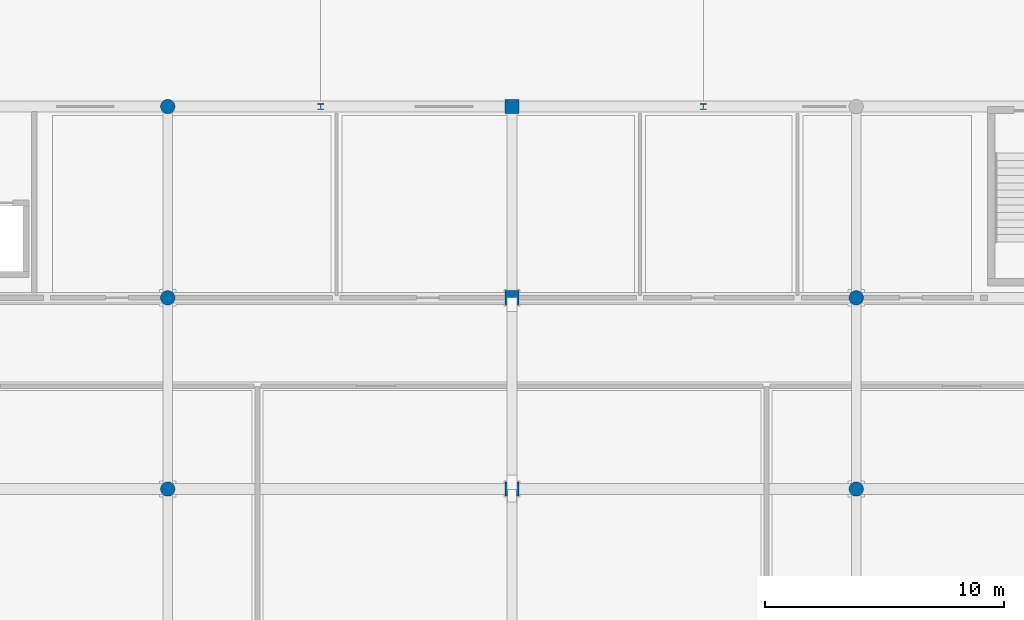
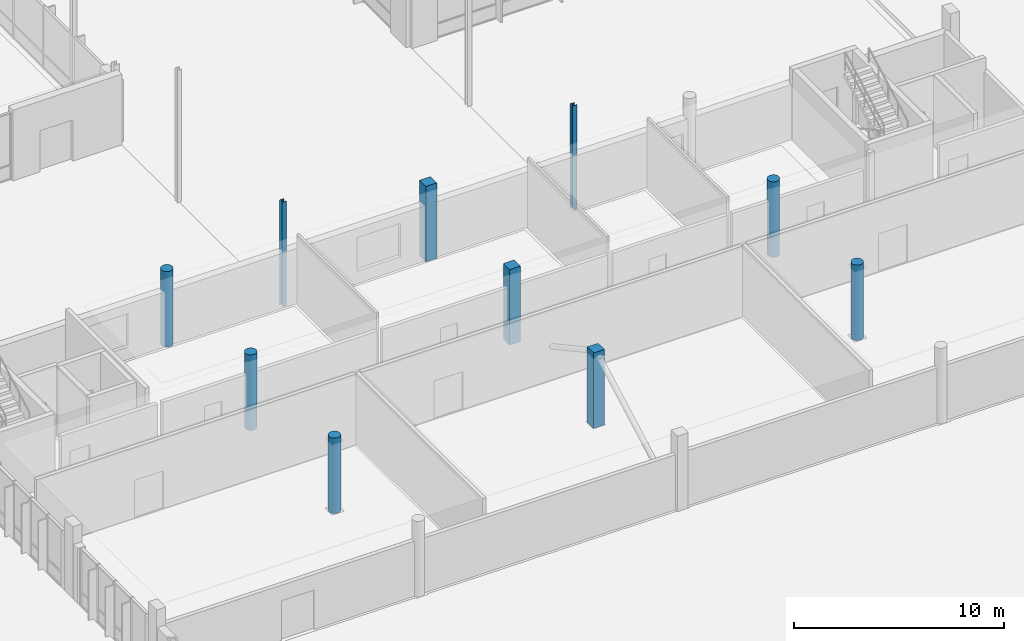
# One storey, part 9 of 233: 10 columns.
"""IFC4 building model written with IfcOpenShell, lengths in metres."""

from ifc_helpers import new_model, si_unit, direction, frame, origin, origin_2d, place, context, subcontext, project, spatial, rectangle, circle, i_section, extrude, material, material_profile, profile_set, type_object, element, save


model = new_model("IFC4")

# Units and contexts
model_context = context("Model", 3, precision=1e-05, world=origin(), true_north=direction((0.0, 1.0)))
body_context = subcontext(model_context, "Body", "Model", "MODEL_VIEW")
ifc_project = project(units=[si_unit("LENGTHUNIT", "METRE"), si_unit("AREAUNIT", "SQUARE_METRE"), si_unit("VOLUMEUNIT", "CUBIC_METRE"), si_unit("PLANEANGLEUNIT", "RADIAN"), si_unit("MASSUNIT", "GRAM", prefix="KILO")], contexts=[model_context])

# Site, building, storey
site_placement = place(None, origin())
site = spatial("IfcSite", under=ifc_project, at=site_placement, CompositionType="ELEMENT")
building_placement = place(site_placement, origin())
building = spatial("IfcBuilding", under=site, at=building_placement, Name="Zavelmont Quarter", CompositionType="ELEMENT")
storey_placement = place(building_placement, origin())
storey = spatial("IfcBuildingStorey", under=building, at=storey_placement, Name="L00", CompositionType="ELEMENT", Elevation=0.0)

# Columns
ifc_material_1 = material(Name="Concrete C40/50", Category="concrete")
ifc_material_profile_1 = material_profile(ifc_material_1, rectangle(XDim=0.60009765625, YDim=0.60009765625, at=origin_2d()), Name="RC600X600")
ifc_profile_set_1 = profile_set([ifc_material_profile_1], Name="Concrete C40/50")
column_type_1 = type_object("IfcColumnType", Name="CL01", PredefinedType="COLUMN", material=ifc_profile_set_1)
for number, where, z_axis, x_axis, name in (
    (1, (84.0, 70.0, 0.0), (0.0, 0.0, 1.0), (1.0, 0.0, 0.0), "L00 column CL01 at 13/L"),
    (2, (84.0, 78.0, 0.0), (0.0, 0.0, 1.0), (1.0, 0.0, 0.0), "L00 column CL01 at 13/M"),
    (3, (84.0, 86.0, 0.0), (0.0, 0.0, 1.0), (1.0, 0.0, 0.0), "L00 column CL01 at 13/N"),
):
    element("IfcColumn", number, at=place(storey_placement, frame(where, z_axis=z_axis, x_axis=x_axis)), inside=storey, type_object=column_type_1, Name=name, PredefinedType="COLUMN", context=body_context, shape_type="SweptSolid", body=[
        extrude(rectangle(XDim=0.60009765625, YDim=0.60009765625, at=origin_2d()), origin(), (0.0, 0.0, 1.0), 4.39990234375),
    ])
ifc_material_profile_2 = material_profile(ifc_material_1, circle(Radius=0.300048828125, at=origin_2d()), Name="CHD600")
ifc_profile_set_2 = profile_set([ifc_material_profile_2], Name="Concrete C40/50")
column_type_2 = type_object("IfcColumnType", Name="CL08", PredefinedType="COLUMN", material=ifc_profile_set_2)
for number, where, z_axis, x_axis, name in (
    (4, (69.60009765625, 70.0, 0.0), (0.0, 0.0, 1.0), (1.0, 0.0, 0.0), "L00 column CL08 at 11/L"),
    (5, (69.60009765625, 78.0, 0.0), (0.0, 0.0, 1.0), (1.0, 0.0, 0.0), "L00 column CL08 at 11/M"),
    (6, (69.60009765625, 86.0, 0.0), (0.0, 0.0, 1.0), (1.0, 0.0, 0.0), "L00 column CL08 at 11/N"),
    (7, (98.39990234375, 70.0, 0.0), (0.0, 0.0, 1.0), (1.0, 0.0, 0.0), "L00 column CL08 at 15/L"),
    (8, (98.39990234375, 78.0, 0.0), (0.0, 0.0, 1.0), (1.0, 0.0, 0.0), "L00 column CL08 at 15/M"),
):
    element("IfcColumn", number, at=place(storey_placement, frame(where, z_axis=z_axis, x_axis=x_axis)), inside=storey, type_object=column_type_2, Name=name, PredefinedType="COLUMN", context=body_context, shape_type="SweptSolid", body=[
        extrude(circle(Radius=0.300048828125, at=origin_2d()), origin(), (0.0, 0.0, 1.0), 4.39990234375),
    ])
ifc_material_2 = material(Name="Steel S355", Category="steel")
ifc_material_profile_3 = material_profile(ifc_material_2, i_section(OverallWidth=0.239990234375, OverallDepth=0.239990234375, WebThickness=0.010009765625, FlangeThickness=0.01708984375, at=origin_2d()), Name="HEB 240")
ifc_profile_set_3 = profile_set([ifc_material_profile_3], Name="Steel S355")
column_type_3 = type_object("IfcColumnType", Name="CL11", PredefinedType="COLUMN", material=ifc_profile_set_3)
for number, where, z_axis, x_axis, name in (
    (9, (76.0, 86.0, 0.0), (0.0, 0.0, 1.0), (1.0, 0.0, 0.0), "L00 column CL11 at 12/N"),
    (10, (92.0, 86.0, 0.0), (0.0, 0.0, 1.0), (1.0, 0.0, 0.0), "L00 column CL11 at 14/N"),
):
    element("IfcColumn", number, at=place(storey_placement, frame(where, z_axis=z_axis, x_axis=x_axis)), inside=storey, type_object=column_type_3, Name=name, PredefinedType="COLUMN", context=body_context, shape_type="SweptSolid", body=[
        extrude(i_section(OverallWidth=0.239990234375, OverallDepth=0.239990234375, WebThickness=0.010009765625, FlangeThickness=0.01708984375, at=origin_2d()), origin(), (0.0, 0.0, 1.0), 6.10009765625),
    ])

save(model, "model.ifc")
